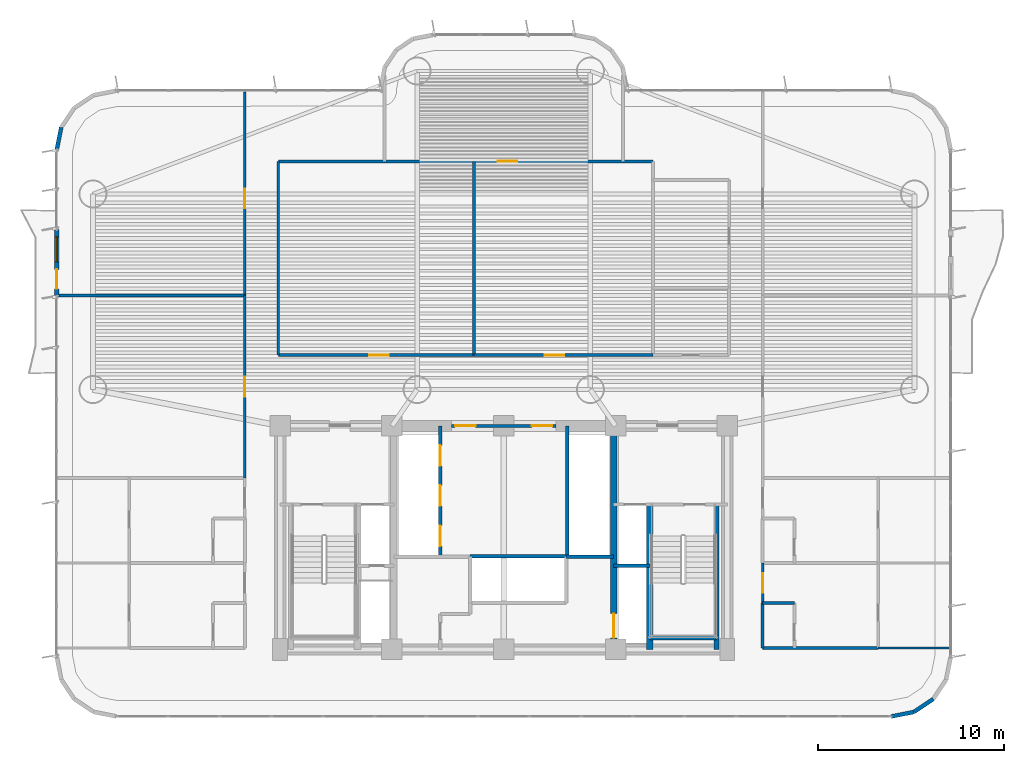
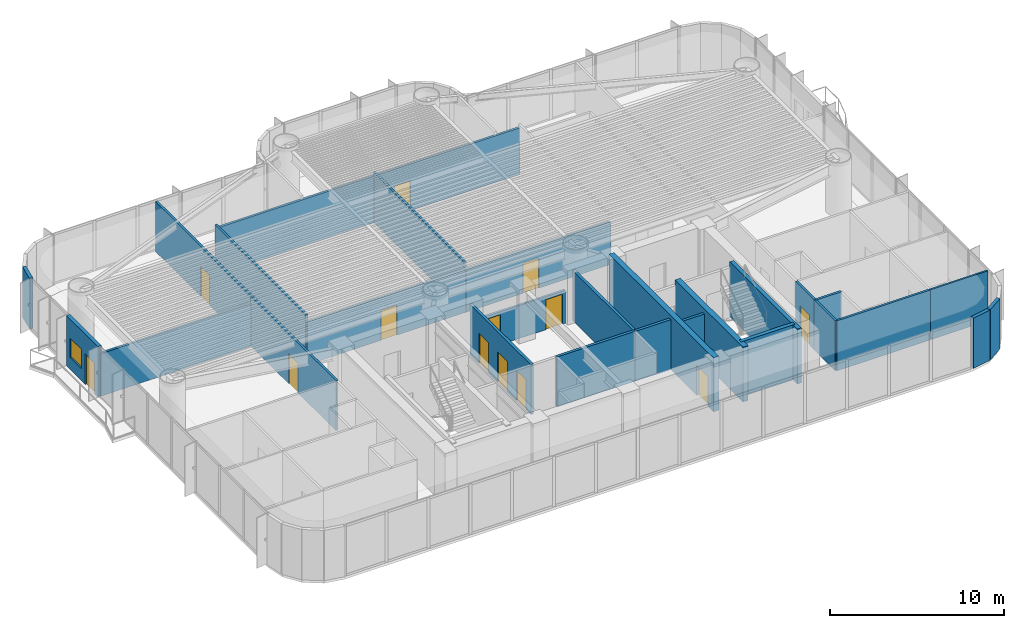
# One storey, part 11 of 17: 27 walls, 13 doors, 1 window, 14 openings.
"""IFC4 building model written with IfcOpenShell, lengths in metres."""

from ifc_helpers import new_model, si_unit, direction, frame, frame_2d, origin, origin_2d, place, context, subcontext, project, spatial, rectangle, extrude, source, transform, mapped, material, layer, layer_set, type_object, element, fill, save


model = new_model("IFC4")

# Units and contexts
model_context = context("Model", 3, precision=1e-05, world=origin(), true_north=direction((0.0, 1.0)))
body_context = subcontext(model_context, "Body", "Model", "MODEL_VIEW")
ifc_project = project(units=[si_unit("LENGTHUNIT", "METRE"), si_unit("AREAUNIT", "SQUARE_METRE"), si_unit("VOLUMEUNIT", "CUBIC_METRE"), si_unit("PLANEANGLEUNIT", "RADIAN"), si_unit("MASSUNIT", "GRAM", prefix="KILO")], contexts=[model_context])

# Site, building, storey
site_placement = place(None, origin())
site = spatial("IfcSite", under=ifc_project, at=site_placement, CompositionType="ELEMENT")
building_placement = place(site_placement, origin())
building = spatial("IfcBuilding", under=site, at=building_placement, Name="Brelvock Crest Care Tower", CompositionType="ELEMENT")
storey_placement = place(building_placement, frame((0.0, 0.0, 49.679931640625)))
storey = spatial("IfcBuildingStorey", under=building, at=storey_placement, Name="L12", CompositionType="ELEMENT", Elevation=49.679931640625)

# Wall, opening, door
ifc_material_1 = material(Name="Concrete S80 (80 MPa)", Category="concrete")
ifc_layer_1 = layer(ifc_material_1, 0.35009765625, Name="WL-CS5")
ifc_layer_set_1 = layer_set([ifc_layer_1], Name="Concrete S80 (80 MPa)")
wall_type_1 = type_object("IfcWallType", Name="WL-CS5", PredefinedType="SHEAR", material=ifc_layer_set_1)
wall_1_placement = place(storey_placement, frame((41.89990234375, 18.0, 0.0), z_axis=(0.0, 0.0, 1.0), x_axis=(0.0, -1.0, 0.0)))
wall_1 = element("IfcWall", 1, at=wall_1_placement, inside=storey, type_object=wall_type_1, Name="L12 Core Internal Web Wall East", PredefinedType="SHEAR", context=body_context, shape_type="SweptSolid", body=[
    extrude(rectangle(XDim=12.0, YDim=0.35009765625, at=frame_2d((6.0, 0.0))), origin(), (0.0, 0.0, 1.0), 3.780029296875),
])
opening_1_placement = place(wall_1_placement, frame((10.080078125, 0.0, 0.0)))
opening_1 = element("IfcOpeningElement", 2, at=opening_1_placement, cuts=wall_1, Name="Opening LD-S", PredefinedType="OPENING", context=body_context, shape_type="SweptSolid", body=[
    extrude(rectangle(XDim=1.300048828125, YDim=2.10009765625, at=origin_2d()), frame((0.64990234375, 0.18505859375, 1.050048828125), z_axis=(0.0, -1.0, 0.0), x_axis=(1.0, 0.0, 0.0)), (0.0, 0.0, 1.0), 0.3701171875),
])
ifc_material_2 = material(Name="Steel Grade 350", Category="steel")
door_type_1 = type_object("IfcDoorType", Name="DR-LDS1", OperationType="NOTDEFINED", PredefinedType="DOOR", material=ifc_material_2)
shared_shape_1 = source(origin(), body_context, "Body", "SweptSolid", [
    extrude(rectangle(XDim=1.300048828125, YDim=2.10009765625, at=origin_2d()), frame((0.64990234375, 0.02490234375, 1.050048828125), z_axis=(0.0, -1.0, 0.0), x_axis=(1.0, 0.0, 0.0)), (0.0, 0.0, 1.0), 0.050048828125),
])
door_1_placement = place(opening_1_placement, origin())
door_1 = element("IfcDoor", 3, at=door_1_placement, inside=storey, type_object=door_type_1, Name="L12 Clinical Bed Lift SL-1 Landing Door", OperationType="SLIDING_TO_LEFT", OverallHeight=2.10009765625, OverallWidth=1.300048828125, PredefinedType="DOOR", context=body_context, shape_type="MappedRepresentation", body=[
    mapped(shared_shape_1, transform((0.0, 0.0, 0.0), x_axis=(1.0, 0.0, 0.0), y_axis=(0.0, 1.0, 0.0), z_axis=(0.0, 0.0, 1.0), scale=1.0)),
])
fill(opening_1, door_1)

# Walls
wall_2_placement = place(storey_placement, frame((43.85009765625, 6.0, 0.0), z_axis=(0.0, 0.0, 1.0), x_axis=(0.0, 1.0, 0.0)))
element("IfcWall", 4, at=wall_2_placement, inside=storey, type_object=wall_type_1, Name="L12 Core Stair ST-2 West Shear Wall", PredefinedType="SHEAR", context=body_context, shape_type="SweptSolid", body=[
    extrude(rectangle(XDim=7.780029296875, YDim=0.35009765625, at=frame_2d((3.89013671875, 0.0))), origin(), (0.0, 0.0, 1.0), 3.85009765625),
])
ifc_layer_2 = layer(ifc_material_1, 0.25, Name="WL-CS6")
ifc_layer_set_2 = layer_set([ifc_layer_2], Name="Concrete S80 (80 MPa)")
wall_type_2 = type_object("IfcWallType", Name="WL-CS6", PredefinedType="SHEAR", material=ifc_layer_set_2)
wall_3_placement = place(storey_placement, frame((47.419921875, 6.0, 0.0), z_axis=(0.0, 0.0, 1.0), x_axis=(0.0, 1.0, 0.0)))
element("IfcWall", 5, at=wall_3_placement, inside=storey, type_object=wall_type_2, Name="L12 Core Stair ST-2 East Shear Wall", PredefinedType="SHEAR", context=body_context, shape_type="SweptSolid", body=[
    extrude(rectangle(XDim=7.780029296875, YDim=0.25, at=frame_2d((3.89013671875, 0.0))), origin(), (0.0, 0.0, 1.0), 3.85009765625),
])
wall_4_placement = place(storey_placement, frame((43.85009765625, 6.6201171875, 0.0), z_axis=(0.0, 0.0, 1.0), x_axis=(1.0, 0.0, 0.0)))
element("IfcWall", 6, at=wall_4_placement, inside=storey, type_object=wall_type_2, Name="L12 Core Stair ST-2 South Shear Wall", PredefinedType="SHEAR", context=body_context, shape_type="SweptSolid", body=[
    extrude(rectangle(XDim=3.56982421875, YDim=0.25, at=frame_2d((1.784912109375, 0.0))), origin(), (0.0, 0.0, 1.0), 3.85009765625),
])

# Wall, openings, door, window
ifc_material_3 = material(Name="Precast concrete N40 (40 MPa)", Category="concrete")
ifc_layer_3 = layer(ifc_material_3, 0.239990234375, Name="WL-EX1")
ifc_layer_set_3 = layer_set([ifc_layer_3], Name="Precast concrete N40 (40 MPa)")
wall_type_3 = type_object("IfcWallType", Name="WL-EX1", PredefinedType="SOLIDWALL", material=ifc_layer_set_3)
wall_5_placement = place(storey_placement, frame((12.0, 24.949951171875, 0.0), z_axis=(0.0, 0.0, 1.0), x_axis=(0.0, 1.0, 0.0)))
wall_5 = element("IfcWall", 7, at=wall_5_placement, inside=storey, type_object=wall_type_3, Name="L12 Exterior Spandrel Wall WL-BAL-L12-W", PredefinedType="SOLIDWALL", context=body_context, shape_type="SweptSolid", body=[
    extrude(rectangle(XDim=3.60009765625, YDim=0.239990234375, at=frame_2d((1.800048828125, 0.0))), origin(), (0.0, 0.0, 1.0), 3.530029296875),
])
opening_2_placement = place(wall_5_placement, frame((0.39990234375, 0.0, 0.0)))
opening_2 = element("IfcOpeningElement", 8, at=opening_2_placement, cuts=wall_5, Name="Opening BD-1", PredefinedType="OPENING", context=body_context, shape_type="SweptSolid", body=[
    extrude(rectangle(XDim=1.050048828125, YDim=2.14990234375, at=origin_2d()), frame((0.52490234375, 0.1298828125, 1.074951171875), z_axis=(0.0, -1.0, 0.0), x_axis=(1.0, 0.0, 0.0)), (0.0, 0.0, 1.0), 0.260009765625),
])
opening_3_placement = place(wall_5_placement, frame((1.85009765625, 0.0, 0.85009765625)))
opening_3 = element("IfcOpeningElement", 9, at=opening_3_placement, cuts=wall_5, Name="Opening W-01", PredefinedType="OPENING", context=body_context, shape_type="SweptSolid", body=[
    extrude(rectangle(XDim=1.35009765625, YDim=1.35009765625, at=origin_2d()), frame((0.675048828125, 0.1298828125, 0.675048828125), z_axis=(0.0, -1.0, 0.0), x_axis=(1.0, 0.0, 0.0)), (0.0, 0.0, 1.0), 0.260009765625),
])
ifc_material_4 = material(Name="Dark Glass Double Glazed Low-E", Category="glass")
door_type_2 = type_object("IfcDoorType", Name="DR-BAL1", OperationType="NOTDEFINED", PredefinedType="DOOR", material=ifc_material_4)
shared_shape_2 = source(origin(), body_context, "Body", "SweptSolid", [
    extrude(rectangle(XDim=1.050048828125, YDim=2.14990234375, at=origin_2d()), frame((0.52490234375, 0.02490234375, 1.074951171875), z_axis=(0.0, -1.0, 0.0), x_axis=(1.0, 0.0, 0.0)), (0.0, 0.0, 1.0), 0.050048828125),
])
door_2_placement = place(opening_2_placement, origin())
door_2 = element("IfcDoor", 10, at=door_2_placement, inside=storey, type_object=door_type_2, Name="L12 W Wave Balcony Glazed Door", OperationType="SINGLE_SWING_LEFT", OverallHeight=2.14990234375, OverallWidth=1.050048828125, PredefinedType="DOOR", context=body_context, shape_type="MappedRepresentation", body=[
    mapped(shared_shape_2, transform((0.0, 0.0, 0.0), x_axis=(1.0, 0.0, 0.0), y_axis=(0.0, 1.0, 0.0), z_axis=(0.0, 0.0, 1.0), scale=1.0)),
])
fill(opening_2, door_2)
window_type = type_object("IfcWindowType", Name="WN-EX1", PartitioningType="SINGLE_PANEL", PredefinedType="WINDOW", material=ifc_material_4)
shared_shape_3 = source(origin(), body_context, "Body", "SweptSolid", [
    extrude(rectangle(XDim=1.35009765625, YDim=1.35009765625, at=origin_2d()), frame((0.675048828125, 0.030029296875, 0.675048828125), z_axis=(0.0, -1.0, 0.0), x_axis=(1.0, 0.0, 0.0)), (0.0, 0.0, 1.0), 0.06005859375),
])
window_placement = place(opening_3_placement, origin())
window = element("IfcWindow", 11, at=window_placement, inside=storey, type_object=window_type, Name="L12 W Suite Casement Window", OverallHeight=1.35009765625, OverallWidth=1.35009765625, PartitioningType="SINGLE_PANEL", PredefinedType="WINDOW", context=body_context, shape_type="MappedRepresentation", body=[
    mapped(shared_shape_3, transform((0.0, 0.0, 0.0), x_axis=(1.0, 0.0, 0.0), y_axis=(0.0, 1.0, 0.0), z_axis=(0.0, 0.0, 1.0), scale=1.0)),
])
fill(opening_3, window)

# Walls
ifc_layer_4 = layer(ifc_material_3, 0.215087890625, Name="WL-EX2")
ifc_layer_set_4 = layer_set([ifc_layer_4], Name="Precast concrete N40 (40 MPa)")
wall_type_4 = type_object("IfcWallType", Name="WL-EX2", PredefinedType="SOLIDWALL", material=ifc_layer_set_4)
for number, where, z_axis, x_axis, name in (
    (12, (59.062744140625, 3.33740234375, 0.0), (0.0, 0.0, 1.0), (-0.831387912822, -0.555692485475, 0.0), "L12 Rounded Corner Wall 06"),
    (13, (58.024658203125, 2.6435546875, 0.0), (0.0, 0.0, 1.0), (-0.980775717779, -0.195138390419, 0.0), "L12 Rounded Corner Wall 07"),
    (14, (12.0, 32.800048828125, 0.0), (0.0, 0.0, 1.0), (0.195138390419, 0.980775717779, 0.0), "L12 Rounded Corner Wall 14"),
):
    element("IfcWall", number, at=place(storey_placement, frame(where, z_axis=z_axis, x_axis=x_axis)), inside=storey, type_object=wall_type_4, Name=name, PredefinedType="SOLIDWALL", context=body_context, shape_type="SweptSolid", body=[
        extrude(rectangle(XDim=1.24853515625, YDim=0.215087890625, at=frame_2d((0.624267578125, 0.0))), origin(), (0.0, 0.0, 1.0), 3.530029296875),
    ])

# Wall, openings, doors
ifc_material_5 = material(Name="Masonry Blockwork Acoustic Partition", Category="masonry")
ifc_layer_5 = layer(ifc_material_5, 0.14990234375, Name="WL-INT1")
ifc_layer_set_5 = layer_set([ifc_layer_5], Name="Masonry Blockwork Acoustic Partition")
wall_type_5 = type_object("IfcWallType", Name="WL-INT1", PredefinedType="PARTITIONING", material=ifc_layer_set_5)
wall_6_placement = place(storey_placement, frame((33.199951171875, 18.0, 0.0), z_axis=(0.0, 0.0, 1.0), x_axis=(1.0, 0.0, 0.0)))
wall_6 = element("IfcWall", 15, at=wall_6_placement, inside=storey, type_object=wall_type_5, Name="L12 Interior Wall WL-CORE-NPORT-L12", PredefinedType="PARTITIONING", context=body_context, shape_type="SweptSolid", body=[
    extrude(rectangle(XDim=5.60009765625, YDim=0.14990234375, at=frame_2d((2.800048828125, 0.0))), origin(), (0.0, 0.0, 1.0), 2.315185546875),
])
opening_4_placement = place(wall_6_placement, frame((0.18994140625, 0.0, 0.0)))
opening_4 = element("IfcOpeningElement", 16, at=opening_4_placement, cuts=wall_6, Name="Opening FD-1", PredefinedType="OPENING", context=body_context, shape_type="SweptSolid", body=[
    extrude(rectangle(XDim=1.10009765625, YDim=2.10009765625, at=origin_2d()), frame((0.550048828125, 0.0849609375, 1.050048828125), z_axis=(0.0, -1.0, 0.0), x_axis=(1.0, 0.0, 0.0)), (0.0, 0.0, 1.0), 0.169921875),
])
opening_5_placement = place(wall_6_placement, frame((4.31005859375, 0.0, 0.0)))
opening_5 = element("IfcOpeningElement", 17, at=opening_5_placement, cuts=wall_6, Name="Opening FD-1", PredefinedType="OPENING", context=body_context, shape_type="SweptSolid", body=[
    extrude(rectangle(XDim=1.10009765625, YDim=2.10009765625, at=origin_2d()), frame((0.550048828125, 0.0849609375, 1.050048828125), z_axis=(0.0, -1.0, 0.0), x_axis=(1.0, 0.0, 0.0)), (0.0, 0.0, 1.0), 0.169921875),
])
door_type_3 = type_object("IfcDoorType", Name="DR-FFL1", OperationType="NOTDEFINED", PredefinedType="DOOR", material=ifc_material_2)
shared_shape_4 = source(origin(), body_context, "Body", "SweptSolid", [
    extrude(rectangle(XDim=1.10009765625, YDim=2.10009765625, at=origin_2d()), frame((0.550048828125, 0.02490234375, 1.050048828125), z_axis=(0.0, -1.0, 0.0), x_axis=(1.0, 0.0, 0.0)), (0.0, 0.0, 1.0), 0.050048828125),
])
door_3_placement = place(opening_4_placement, origin())
door_3 = element("IfcDoor", 18, at=door_3_placement, inside=storey, type_object=door_type_3, Name="L12 Lift Lobby North Smoke Door West", OperationType="SINGLE_SWING_LEFT", OverallHeight=2.10009765625, OverallWidth=1.10009765625, PredefinedType="DOOR", context=body_context, shape_type="MappedRepresentation", body=[
    mapped(shared_shape_4, transform((0.0, 0.0, 0.0), x_axis=(1.0, 0.0, 0.0), y_axis=(0.0, 1.0, 0.0), z_axis=(0.0, 0.0, 1.0), scale=1.0)),
])
fill(opening_4, door_3)
door_4_placement = place(opening_5_placement, origin())
door_4 = element("IfcDoor", 19, at=door_4_placement, inside=storey, type_object=door_type_3, Name="L12 Lift Lobby North Smoke Door East", OperationType="SINGLE_SWING_RIGHT", OverallHeight=2.10009765625, OverallWidth=1.10009765625, PredefinedType="DOOR", context=body_context, shape_type="MappedRepresentation", body=[
    mapped(shared_shape_4, transform((0.0, 0.0, 0.0), x_axis=(1.0, 0.0, 0.0), y_axis=(0.0, 1.0, 0.0), z_axis=(0.0, 0.0, 1.0), scale=1.0)),
])
fill(opening_5, door_4)

# Wall
wall_7_placement = place(storey_placement, frame((49.89990234375, 6.080078125, 0.0), z_axis=(0.0, 0.0, 1.0), x_axis=(1.0, 0.0, 0.0)))
element("IfcWall", 20, at=wall_7_placement, inside=storey, type_object=wall_type_5, Name="L12 Interior Wall WL-BX-L12-CS-ER1A-S", PredefinedType="PARTITIONING", context=body_context, shape_type="SweptSolid", body=[
    extrude(rectangle(XDim=6.2001953125, YDim=0.14990234375, at=frame_2d((3.10009765625, 0.0))), origin(), (0.0, 0.0, 1.0), 3.5),
])

# Wall, opening, door
wall_8_placement = place(storey_placement, frame((23.89990234375, 21.800048828125, 0.0), z_axis=(0.0, 0.0, 1.0), x_axis=(1.0, 0.0, 0.0)))
wall_8 = element("IfcWall", 21, at=wall_8_placement, inside=storey, type_object=wall_type_5, Name="L12 Interior Wall WL-RM-L12-CNW", PredefinedType="PARTITIONING", context=body_context, shape_type="SweptSolid", body=[
    extrude(rectangle(XDim=10.5, YDim=0.14990234375, at=frame_2d((5.25, 0.0))), origin(), (0.0, 0.0, 1.0), 2.982177734375),
])
opening_6_placement = place(wall_8_placement, frame((4.875, 0.0, 0.0)))
opening_6 = element("IfcOpeningElement", 22, at=opening_6_placement, cuts=wall_8, Name="Opening CLD-1", PredefinedType="OPENING", context=body_context, shape_type="SweptSolid", body=[
    extrude(rectangle(XDim=1.050048828125, YDim=2.10009765625, at=origin_2d()), frame((0.52490234375, 0.0849609375, 1.050048828125), z_axis=(0.0, -1.0, 0.0), x_axis=(1.0, 0.0, 0.0)), (0.0, 0.0, 1.0), 0.169921875),
])
ifc_material_6 = material(Name="Engineered Hardwood Timber", Category="wood")
door_type_4 = type_object("IfcDoorType", Name="DR-CLN1", OperationType="NOTDEFINED", PredefinedType="DOOR", material=ifc_material_6)
shared_shape_5 = source(origin(), body_context, "Body", "SweptSolid", [
    extrude(rectangle(XDim=1.050048828125, YDim=2.10009765625, at=origin_2d()), frame((0.52490234375, 0.02490234375, 1.050048828125), z_axis=(0.0, -1.0, 0.0), x_axis=(1.0, 0.0, 0.0)), (0.0, 0.0, 1.0), 0.050048828125),
])
door_5_placement = place(opening_6_placement, origin())
door_5 = element("IfcDoor", 23, at=door_5_placement, inside=storey, type_object=door_type_4, Name="L12 Communal Dining Conservatory Door CNW", OperationType="SINGLE_SWING_LEFT", OverallHeight=2.10009765625, OverallWidth=1.050048828125, PredefinedType="DOOR", context=body_context, shape_type="MappedRepresentation", body=[
    mapped(shared_shape_5, transform((0.0, 0.0, 0.0), x_axis=(1.0, 0.0, 0.0), y_axis=(0.0, 1.0, 0.0), z_axis=(0.0, 0.0, 1.0), scale=1.0)),
])
fill(opening_6, door_5)

wall_9_placement = place(storey_placement, frame((34.39990234375, 21.800048828125, 0.0), z_axis=(0.0, 0.0, 1.0), x_axis=(1.0, 0.0, 0.0)))
wall_9 = element("IfcWall", 24, at=wall_9_placement, inside=storey, type_object=wall_type_5, Name="L12 Interior Wall WL-RM-L12-CNE", PredefinedType="PARTITIONING", context=body_context, shape_type="SweptSolid", body=[
    extrude(rectangle(XDim=9.60009765625, YDim=0.14990234375, at=frame_2d((4.800048828125, 0.0))), origin(), (0.0, 0.0, 1.0), 2.982177734375),
])
opening_7_placement = place(wall_9_placement, frame((3.794921875, 0.0, 0.0)))
opening_7 = element("IfcOpeningElement", 25, at=opening_7_placement, cuts=wall_9, Name="Opening CLD-1", PredefinedType="OPENING", context=body_context, shape_type="SweptSolid", body=[
    extrude(rectangle(XDim=1.050048828125, YDim=2.10009765625, at=origin_2d()), frame((0.52490234375, 0.0849609375, 1.050048828125), z_axis=(0.0, -1.0, 0.0), x_axis=(1.0, 0.0, 0.0)), (0.0, 0.0, 1.0), 0.169921875),
])
door_6_placement = place(opening_7_placement, origin())
door_6 = element("IfcDoor", 26, at=door_6_placement, inside=storey, type_object=door_type_4, Name="L12 Geriatric Nurse Consultation Hub Door CNE", OperationType="SINGLE_SWING_LEFT", OverallHeight=2.10009765625, OverallWidth=1.050048828125, PredefinedType="DOOR", context=body_context, shape_type="MappedRepresentation", body=[
    mapped(shared_shape_5, transform((0.0, 0.0, 0.0), x_axis=(1.0, 0.0, 0.0), y_axis=(0.0, 1.0, 0.0), z_axis=(0.0, 0.0, 1.0), scale=1.0)),
])
fill(opening_7, door_6)

# Wall
wall_10_placement = place(storey_placement, frame((12.080078125, 25.0, 0.0), z_axis=(0.0, 0.0, 1.0), x_axis=(1.0, 0.0, 0.0)))
element("IfcWall", 27, at=wall_10_placement, inside=storey, type_object=wall_type_5, Name="L12 Interior Wall WL-BX-L12-WCL2-N", PredefinedType="PARTITIONING", context=body_context, shape_type="SweptSolid", body=[
    extrude(rectangle(XDim=10.02001953125, YDim=0.14990234375, at=frame_2d((5.010009765625, 0.0))), origin(), (0.0, 0.0, 1.0), 2.982177734375),
])

# Wall, opening, door
wall_11_placement = place(storey_placement, frame((23.89990234375, 32.199951171875, 0.0), z_axis=(0.0, 0.0, 1.0), x_axis=(1.0, 0.0, 0.0)))
wall_11 = element("IfcWall", 28, at=wall_11_placement, inside=storey, type_object=wall_type_5, Name="L12 Interior Wall WL-RM-L12-NHUB", PredefinedType="PARTITIONING", context=body_context, shape_type="SweptSolid", body=[
    extrude(rectangle(XDim=20.10009765625, YDim=0.14990234375, at=frame_2d((10.050048828125, 0.0))), origin(), (0.0, 0.0, 1.0), 3.259033203125),
])
opening_8_placement = place(wall_11_placement, frame((11.77490234375, 0.0, 0.0)))
opening_8 = element("IfcOpeningElement", 29, at=opening_8_placement, cuts=wall_11, Name="Opening CLD-1", PredefinedType="OPENING", context=body_context, shape_type="SweptSolid", body=[
    extrude(rectangle(XDim=1.050048828125, YDim=2.10009765625, at=origin_2d()), frame((0.52490234375, 0.0849609375, 1.050048828125), z_axis=(0.0, -1.0, 0.0), x_axis=(1.0, 0.0, 0.0)), (0.0, 0.0, 1.0), 0.169921875),
])
door_7_placement = place(opening_8_placement, origin())
door_7 = element("IfcDoor", 30, at=door_7_placement, inside=storey, type_object=door_type_4, Name="L12 Harbour Wintergarden Lounge Door NHUB", OperationType="SINGLE_SWING_LEFT", OverallHeight=2.10009765625, OverallWidth=1.050048828125, PredefinedType="DOOR", context=body_context, shape_type="MappedRepresentation", body=[
    mapped(shared_shape_5, transform((0.0, 0.0, 0.0), x_axis=(1.0, 0.0, 0.0), y_axis=(0.0, 1.0, 0.0), z_axis=(0.0, 0.0, 1.0), scale=1.0)),
])
fill(opening_8, door_7)

wall_12_placement = place(storey_placement, frame((22.10009765625, 15.199951171875, 0.0), z_axis=(0.0, 0.0, 1.0), x_axis=(0.0, 1.0, 0.0)))
wall_12 = element("IfcWall", 31, at=wall_12_placement, inside=storey, type_object=wall_type_5, Name="L12 Interior Wall WL-RM-L12-WCL2", PredefinedType="PARTITIONING", context=body_context, shape_type="SweptSolid", body=[
    extrude(rectangle(XDim=9.800048828125, YDim=0.14990234375, at=frame_2d((4.89990234375, 0.0))), origin(), (0.0, 0.0, 1.0), 3.5),
])
opening_9_placement = place(wall_12_placement, frame((4.375, 0.0, 0.0)))
opening_9 = element("IfcOpeningElement", 32, at=opening_9_placement, cuts=wall_12, Name="Opening CLD-1", PredefinedType="OPENING", context=body_context, shape_type="SweptSolid", body=[
    extrude(rectangle(XDim=1.050048828125, YDim=2.10009765625, at=origin_2d()), frame((0.52490234375, 0.0849609375, 1.050048828125), z_axis=(0.0, -1.0, 0.0), x_axis=(1.0, 0.0, 0.0)), (0.0, 0.0, 1.0), 0.169921875),
])
door_8_placement = place(opening_9_placement, origin())
door_8 = element("IfcDoor", 33, at=door_8_placement, inside=storey, type_object=door_type_4, Name="L12 Physiotherapy Assessment Clinic Door WCL2", OperationType="SINGLE_SWING_LEFT", OverallHeight=2.10009765625, OverallWidth=1.050048828125, PredefinedType="DOOR", context=body_context, shape_type="MappedRepresentation", body=[
    mapped(shared_shape_5, transform((0.0, 0.0, 0.0), x_axis=(1.0, 0.0, 0.0), y_axis=(0.0, 1.0, 0.0), z_axis=(0.0, 0.0, 1.0), scale=1.0)),
])
fill(opening_9, door_8)

wall_13_placement = place(storey_placement, frame((22.10009765625, 25.0, 0.0), z_axis=(0.0, 0.0, 1.0), x_axis=(0.0, 1.0, 0.0)))
wall_13 = element("IfcWall", 34, at=wall_13_placement, inside=storey, type_object=wall_type_5, Name="L12 Interior Wall WL-RM-L12-WCL3", PredefinedType="PARTITIONING", context=body_context, shape_type="SweptSolid", body=[
    extrude(rectangle(XDim=10.920654296875, YDim=0.14990234375, at=frame_2d((5.46044921875, 0.0))), origin(), (0.0, 0.0, 1.0), 3.5),
])
opening_10_placement = place(wall_13_placement, frame((4.675048828125, 0.0, 0.0)))
opening_10 = element("IfcOpeningElement", 35, at=opening_10_placement, cuts=wall_13, Name="Opening CLD-1", PredefinedType="OPENING", context=body_context, shape_type="SweptSolid", body=[
    extrude(rectangle(XDim=1.050048828125, YDim=2.10009765625, at=origin_2d()), frame((0.52490234375, 0.0849609375, 1.050048828125), z_axis=(0.0, -1.0, 0.0), x_axis=(1.0, 0.0, 0.0)), (0.0, 0.0, 1.0), 0.169921875),
])
door_9_placement = place(opening_10_placement, origin())
door_9 = element("IfcDoor", 36, at=door_9_placement, inside=storey, type_object=door_type_4, Name="L12 Physiotherapy Assessment Clinic Door WCL3", OperationType="SINGLE_SWING_LEFT", OverallHeight=2.10009765625, OverallWidth=1.050048828125, PredefinedType="DOOR", context=body_context, shape_type="MappedRepresentation", body=[
    mapped(shared_shape_5, transform((0.0, 0.0, 0.0), x_axis=(1.0, 0.0, 0.0), y_axis=(0.0, 1.0, 0.0), z_axis=(0.0, 0.0, 1.0), scale=1.0)),
])
fill(opening_10, door_9)

# Walls
for number, where, z_axis, x_axis, name in (
    (37, (23.89990234375, 21.800048828125, 0.0), (0.0, 0.0, 1.0), (0.0, 1.0, 0.0), "L12 Interior Wall WL-BX-L12-CNW-W"),
    (38, (34.39990234375, 21.800048828125, 0.0), (0.0, 0.0, 1.0), (0.0, 1.0, 0.0), "L12 Interior Wall WL-BX-L12-CNE-W"),
):
    element("IfcWall", number, at=place(storey_placement, frame(where, z_axis=z_axis, x_axis=x_axis)), inside=storey, type_object=wall_type_5, Name=name, PredefinedType="PARTITIONING", context=body_context, shape_type="SweptSolid", body=[
        extrude(rectangle(XDim=10.39990234375, YDim=0.14990234375, at=frame_2d((5.199951171875, 0.0))), origin(), (0.0, 0.0, 1.0), 3.5),
    ])

# Wall, opening, door
wall_14_placement = place(storey_placement, frame((49.89990234375, 8.47998046875, 0.0), z_axis=(0.0, 0.0, 1.0), x_axis=(0.0, 1.0, 0.0)))
wall_14 = element("IfcWall", 39, at=wall_14_placement, inside=storey, type_object=wall_type_5, Name="L12 Interior Wall WL-CENT-L12-ER1A", PredefinedType="PARTITIONING", context=body_context, shape_type="SweptSolid", body=[
    extrude(rectangle(XDim=2.159912109375, YDim=0.14990234375, at=frame_2d((1.080078125, 0.0))), origin(), (0.0, 0.0, 1.0), 3.5),
])
opening_11_placement = place(wall_14_placement, frame((0.56005859375, 0.0, 0.0)))
opening_11 = element("IfcOpeningElement", 40, at=opening_11_placement, cuts=wall_14, Name="Opening CD-1", PredefinedType="OPENING", context=body_context, shape_type="SweptSolid", body=[
    extrude(rectangle(XDim=1.050048828125, YDim=2.10009765625, at=origin_2d()), frame((0.52490234375, 0.0849609375, 1.050048828125), z_axis=(0.0, -1.0, 0.0), x_axis=(1.0, 0.0, 0.0)), (0.0, 0.0, 1.0), 0.169921875),
])
door_type_5 = type_object("IfcDoorType", Name="DR-CARE1", OperationType="NOTDEFINED", PredefinedType="DOOR", material=ifc_material_6)
shared_shape_6 = source(origin(), body_context, "Body", "SweptSolid", [
    extrude(rectangle(XDim=1.050048828125, YDim=2.10009765625, at=origin_2d()), frame((0.52490234375, 0.02490234375, 1.050048828125), z_axis=(0.0, -1.0, 0.0), x_axis=(1.0, 0.0, 0.0)), (0.0, 0.0, 1.0), 0.050048828125),
])
door_10_placement = place(opening_11_placement, origin())
door_10 = element("IfcDoor", 41, at=door_10_placement, inside=storey, type_object=door_type_5, Name="L12 Care Suite Door ER1A", OperationType="SINGLE_SWING_LEFT", OverallHeight=2.10009765625, OverallWidth=1.050048828125, PredefinedType="DOOR", context=body_context, shape_type="MappedRepresentation", body=[
    mapped(shared_shape_6, transform((0.0, 0.0, 0.0), x_axis=(1.0, 0.0, 0.0), y_axis=(0.0, 1.0, 0.0), z_axis=(0.0, 0.0, 1.0), scale=1.0)),
])
fill(opening_11, door_10)

# Walls
ifc_material_7 = material(Name="Gypsum Plasterboard Partition", Category="gypsum")
ifc_layer_6 = layer(ifc_material_7, 0.1201171875, Name="WL-INT2")
ifc_layer_set_6 = layer_set([ifc_layer_6], Name="Gypsum Plasterboard Partition")
wall_type_6 = type_object("IfcWallType", Name="WL-INT2", PredefinedType="PARTITIONING", material=ifc_layer_set_6)
wall_15_placement = place(storey_placement, frame((56.10009765625, 6.080078125, 0.0), z_axis=(0.0, 0.0, 1.0), x_axis=(1.0, 0.0, 0.0)))
element("IfcWall", 42, at=wall_15_placement, inside=storey, type_object=wall_type_6, Name="L12 Interior Wall WL-BX-L12-ER1AS-S", PredefinedType="PARTITIONING", context=body_context, shape_type="SweptSolid", body=[
    extrude(rectangle(XDim=3.81982421875, YDim=0.1201171875, at=frame_2d((1.909912109375, 0.0))), origin(), (0.0, 0.0, 1.0), 3.5),
])
ifc_layer_7 = layer(ifc_material_7, 0.159912109375, Name="WL-PLM1")
ifc_layer_set_7 = layer_set([ifc_layer_7], Name="Gypsum Plasterboard Partition")
wall_type_7 = type_object("IfcWallType", Name="WL-PLM1", PredefinedType="PLUMBINGWALL", material=ifc_layer_set_7)
wall_16_placement = place(storey_placement, frame((49.89990234375, 8.47998046875, 0.0), z_axis=(0.0, 0.0, 1.0), x_axis=(1.0, 0.0, 0.0)))
element("IfcWall", 43, at=wall_16_placement, inside=storey, type_object=wall_type_7, Name="L12 Interior Wall WL-CENS2-L12-ER1A", PredefinedType="PLUMBINGWALL", context=body_context, shape_type="SweptSolid", body=[
    extrude(rectangle(XDim=1.7001953125, YDim=0.159912109375, at=frame_2d((0.85009765625, 0.0))), origin(), (0.0, 0.0, 1.0), 3.5),
])
wall_17_placement = place(storey_placement, frame((49.89990234375, 6.080078125, 0.0), z_axis=(0.0, 0.0, 1.0), x_axis=(0.0, 1.0, 0.0)))
element("IfcWall", 44, at=wall_17_placement, inside=storey, type_object=wall_type_7, Name="L12 Interior Wall WL-CENS0-L12-ER1A", PredefinedType="PLUMBINGWALL", context=body_context, shape_type="SweptSolid", body=[
    extrude(rectangle(XDim=2.39990234375, YDim=0.159912109375, at=frame_2d((1.199951171875, 0.0))), origin(), (0.0, 0.0, 1.0), 3.5),
])
ifc_layer_8 = layer(ifc_material_5, 0.179931640625, Name="WL-SHF1")
ifc_layer_set_8 = layer_set([ifc_layer_8], Name="Masonry Blockwork Acoustic Partition")
wall_type_8 = type_object("IfcWallType", Name="WL-SHF1", PredefinedType="PARTITIONING", material=ifc_layer_set_8)
wall_18_placement = place(storey_placement, frame((34.199951171875, 11.0, 0.0), z_axis=(0.0, 0.0, 1.0), x_axis=(1.0, 0.0, 0.0)))
element("IfcWall", 45, at=wall_18_placement, inside=storey, type_object=wall_type_8, Name="L12 Interior Wall WL-PLM-SHF-L12", PredefinedType="PARTITIONING", context=body_context, shape_type="SweptSolid", body=[
    extrude(rectangle(XDim=5.150146484375, YDim=0.179931640625, at=frame_2d((2.5751953125, 0.0))), origin(), (0.0, 0.0, 1.0), 3.5),
])
wall_19_placement = place(storey_placement, frame((39.39990234375, 11.0, 0.0), z_axis=(0.0, 0.0, 1.0), x_axis=(0.0, 1.0, 0.0)))
element("IfcWall", 46, at=wall_19_placement, inside=storey, type_object=wall_type_8, Name="L12 Interior Wall WL-PLH-SHF-L12", PredefinedType="PARTITIONING", context=body_context, shape_type="SweptSolid", body=[
    extrude(rectangle(XDim=7.0, YDim=0.179931640625, at=frame_2d((3.5, 0.0))), origin(), (0.0, 0.0, 1.0), 3.5),
])
wall_20_placement = place(storey_placement, frame((39.35009765625, 10.97998046875, 0.0), z_axis=(0.0, 0.0, 1.0), x_axis=(1.0, 0.0, 0.0)))
element("IfcWall", 47, at=wall_20_placement, inside=storey, type_object=wall_type_8, Name="L12 Interior Wall WL-CSBE-N-L12", PredefinedType="PARTITIONING", context=body_context, shape_type="SweptSolid", body=[
    extrude(rectangle(XDim=2.5498046875, YDim=0.179931640625, at=frame_2d((1.27490234375, 0.0))), origin(), (0.0, 0.0, 1.0), 3.5),
])
wall_21_placement = place(storey_placement, frame((41.89990234375, 10.5, 0.0), z_axis=(0.0, 0.0, 1.0), x_axis=(1.0, 0.0, 0.0)))
element("IfcWall", 48, at=wall_21_placement, inside=storey, type_object=wall_type_8, Name="L12 Interior Wall WL-FFH2-S-L12", PredefinedType="PARTITIONING", context=body_context, shape_type="SweptSolid", body=[
    extrude(rectangle(XDim=1.9501953125, YDim=0.179931640625, at=frame_2d((0.97509765625, 0.0))), origin(), (0.0, 0.0, 1.0), 3.5),
])

# Wall, openings, doors
wall_22_placement = place(storey_placement, frame((32.60009765625, 11.0, 0.0), z_axis=(0.0, 0.0, 1.0), x_axis=(0.0, 1.0, 0.0)))
wall_22 = element("IfcWall", 49, at=wall_22_placement, inside=storey, type_object=wall_type_8, Name="L12 Interior Wall WL-PLL-BANK-L12", PredefinedType="PARTITIONING", context=body_context, shape_type="SweptSolid", body=[
    extrude(rectangle(XDim=7.0, YDim=0.179931640625, at=frame_2d((3.5, 0.0))), origin(), (0.0, 0.0, 1.0), 3.5),
])
opening_12_placement = place(wall_22_placement, frame((0.550048828125, 0.0, 0.0)))
opening_12 = element("IfcOpeningElement", 50, at=opening_12_placement, cuts=wall_22, Name="Opening LD", PredefinedType="OPENING", context=body_context, shape_type="SweptSolid", body=[
    extrude(rectangle(XDim=1.10009765625, YDim=2.10009765625, at=origin_2d()), frame((0.550048828125, 0.10009765625, 1.050048828125), z_axis=(0.0, -1.0, 0.0), x_axis=(1.0, 0.0, 0.0)), (0.0, 0.0, 1.0), 0.199951171875),
])
opening_13_placement = place(wall_22_placement, frame((2.699951171875, 0.0, 0.0)))
opening_13 = element("IfcOpeningElement", 51, at=opening_13_placement, cuts=wall_22, Name="Opening LD", PredefinedType="OPENING", context=body_context, shape_type="SweptSolid", body=[
    extrude(rectangle(XDim=1.10009765625, YDim=2.10009765625, at=origin_2d()), frame((0.550048828125, 0.10009765625, 1.050048828125), z_axis=(0.0, -1.0, 0.0), x_axis=(1.0, 0.0, 0.0)), (0.0, 0.0, 1.0), 0.199951171875),
])
opening_14_placement = place(wall_22_placement, frame((4.85009765625, 0.0, 0.0)))
opening_14 = element("IfcOpeningElement", 52, at=opening_14_placement, cuts=wall_22, Name="Opening LD", PredefinedType="OPENING", context=body_context, shape_type="SweptSolid", body=[
    extrude(rectangle(XDim=1.10009765625, YDim=2.10009765625, at=origin_2d()), frame((0.550048828125, 0.10009765625, 1.050048828125), z_axis=(0.0, -1.0, 0.0), x_axis=(1.0, 0.0, 0.0)), (0.0, 0.0, 1.0), 0.199951171875),
])
door_type_6 = type_object("IfcDoorType", Name="DR-LD1", OperationType="NOTDEFINED", PredefinedType="DOOR", material=ifc_material_2)
shared_shape_7 = source(origin(), body_context, "Body", "SweptSolid", [
    extrude(rectangle(XDim=1.10009765625, YDim=2.10009765625, at=origin_2d()), frame((0.550048828125, 0.02490234375, 1.050048828125), z_axis=(0.0, -1.0, 0.0), x_axis=(1.0, 0.0, 0.0)), (0.0, 0.0, 1.0), 0.050048828125),
])
door_11_placement = place(opening_12_placement, origin())
door_11 = element("IfcDoor", 53, at=door_11_placement, inside=storey, type_object=door_type_6, Name="L12 Lift PL-L1 Landing Door", OperationType="SLIDING_TO_LEFT", OverallHeight=2.10009765625, OverallWidth=1.10009765625, PredefinedType="DOOR", context=body_context, shape_type="MappedRepresentation", body=[
    mapped(shared_shape_7, transform((0.0, 0.0, 0.0), x_axis=(1.0, 0.0, 0.0), y_axis=(0.0, 1.0, 0.0), z_axis=(0.0, 0.0, 1.0), scale=1.0)),
])
fill(opening_12, door_11)
door_12_placement = place(opening_13_placement, origin())
door_12 = element("IfcDoor", 54, at=door_12_placement, inside=storey, type_object=door_type_6, Name="L12 Lift PL-L2 Landing Door", OperationType="SLIDING_TO_LEFT", OverallHeight=2.10009765625, OverallWidth=1.10009765625, PredefinedType="DOOR", context=body_context, shape_type="MappedRepresentation", body=[
    mapped(shared_shape_7, transform((0.0, 0.0, 0.0), x_axis=(1.0, 0.0, 0.0), y_axis=(0.0, 1.0, 0.0), z_axis=(0.0, 0.0, 1.0), scale=1.0)),
])
fill(opening_13, door_12)
door_13_placement = place(opening_14_placement, origin())
door_13 = element("IfcDoor", 55, at=door_13_placement, inside=storey, type_object=door_type_6, Name="L12 Lift PL-L3 Landing Door", OperationType="SLIDING_TO_LEFT", OverallHeight=2.10009765625, OverallWidth=1.10009765625, PredefinedType="DOOR", context=body_context, shape_type="MappedRepresentation", body=[
    mapped(shared_shape_7, transform((0.0, 0.0, 0.0), x_axis=(1.0, 0.0, 0.0), y_axis=(0.0, 1.0, 0.0), z_axis=(0.0, 0.0, 1.0), scale=1.0)),
])
fill(opening_14, door_13)

save(model, "model.ifc")
